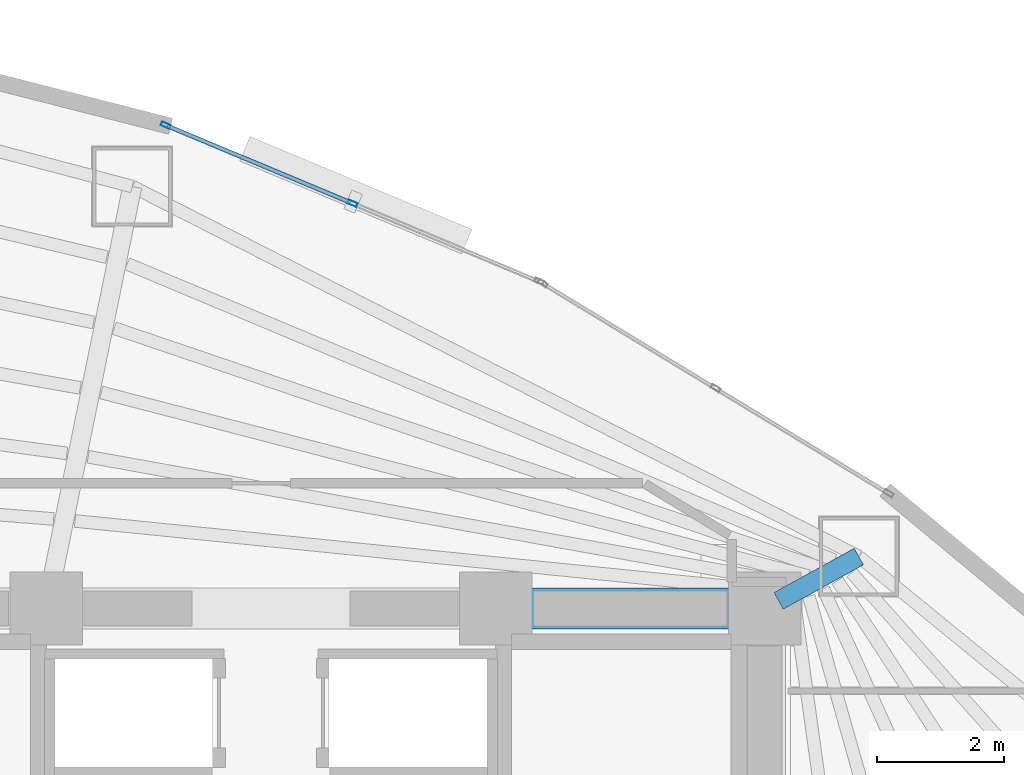
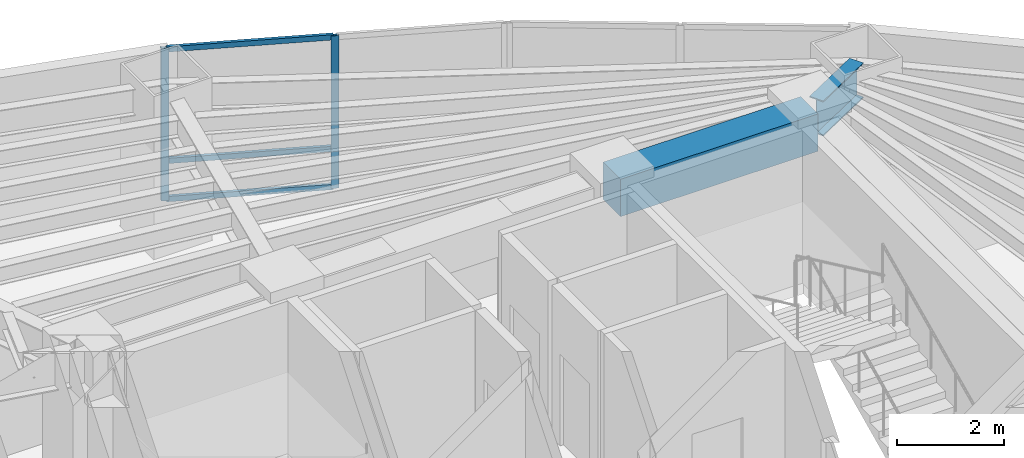
# One storey, part 9 of 18: 5 members, 2 beams, 1 element without a shape of its own.
"""IFC4 building model written with IfcOpenShell, lengths in metres."""

from ifc_helpers import new_model, si_unit, direction, frame, origin, origin_2d, place, context, subcontext, project, spatial, rectangle, hollow_rectangle, i_section, extrude, material, layer, layer_set, material_profile, profile_set, type_object, element, aggregate, save


model = new_model("IFC4")

# Units and contexts
model_context = context("Model", 3, precision=1e-05, world=origin(), true_north=direction((0.0, 1.0)))
body_context = subcontext(model_context, "Body", "Model", "MODEL_VIEW")
ifc_project = project(units=[si_unit("LENGTHUNIT", "METRE"), si_unit("AREAUNIT", "SQUARE_METRE"), si_unit("VOLUMEUNIT", "CUBIC_METRE"), si_unit("PLANEANGLEUNIT", "RADIAN"), si_unit("MASSUNIT", "GRAM", prefix="KILO")], contexts=[model_context])

# Site, building, storey
site_placement = place(None, origin())
site = spatial("IfcSite", under=ifc_project, at=site_placement, CompositionType="ELEMENT")
building_placement = place(site_placement, origin())
building = spatial("IfcBuilding", under=site, at=building_placement, Name="Menara Vayukalpa", CompositionType="ELEMENT")
storey_placement = place(building_placement, frame((0.0, 0.0, 92.820068359375)))
storey = spatial("IfcBuildingStorey", under=building, at=storey_placement, Name="L22", CompositionType="ELEMENT", Elevation=92.820068359375)

# Beams
ifc_material_1 = material(Name="Concrete C60/75", Category="concrete")
ifc_material_profile_1 = material_profile(ifc_material_1, rectangle(XDim=0.64990234375, YDim=0.85009765625, at=origin_2d()), Name="RC 650x850")
ifc_profile_set_1 = profile_set([ifc_material_profile_1], Name="Concrete C60/75")
beam_type_1 = type_object("IfcBeamType", Name="BM-CB1", PredefinedType="BEAM", material=ifc_profile_set_1)
beam_1_placement = place(storey_placement, frame((29.14990234375, 26.800048828125, 3.044921875), z_axis=(1.0, 0.0, 0.0), x_axis=(0.0, 1.0, 0.0)))
element("IfcBeam", 1, at=beam_1_placement, inside=storey, type_object=beam_type_1, Name="L22 Core Tie Beam CBR6", PredefinedType="BEAM", context=body_context, shape_type="SweptSolid", body=[
    extrude(rectangle(XDim=0.64990234375, YDim=0.85009765625, at=origin_2d()), origin(), (0.0, 0.0, 1.0), 4.25),
])
ifc_material_2 = material(Name="Steel S355", Category="steel")
ifc_material_profile_2 = material_profile(ifc_material_2, i_section(OverallWidth=0.300048828125, OverallDepth=0.800048828125, WebThickness=0.013916015625, FlangeThickness=0.02587890625, at=origin_2d()), Name="WF 800x300x14x26")
ifc_profile_set_2 = profile_set([ifc_material_profile_2], Name="Steel S355")
beam_type_2 = type_object("IfcBeamType", Name="BM-PG3", PredefinedType="BEAM", material=ifc_profile_set_2)
beam_2_placement = place(storey_placement, frame((33.618896484375, 26.9208984375, 3.06982421875), z_axis=(0.875228391676, 0.48370989488, 0.0), x_axis=(-0.48370989488, 0.875228391676, 0.0)))
element("IfcBeam", 2, at=beam_2_placement, inside=storey, type_object=beam_type_2, Name="L22 Primary Radial Girder RG02", PredefinedType="BEAM", context=body_context, shape_type="SweptSolid", body=[
    extrude(i_section(OverallWidth=0.300048828125, OverallDepth=0.800048828125, WebThickness=0.013916015625, FlangeThickness=0.02587890625, at=origin_2d()), origin(), (0.0, 0.0, 1.0), 1.448486328125),
])

# Curtain wall, members
ifc_material_3 = material(Name="Anodised Terracotta Aluminium Alloy 6063-T6", Category="masonry")
ifc_layer = layer(ifc_material_3, 0.14990234375)
ifc_layer_set = layer_set([ifc_layer], Name="Anodised Terracotta Aluminium Alloy 6063-T6")
curtain_wall_type = type_object("IfcCurtainWallType", Name="CW-CW3", PredefinedType="USERDEFINED", material=ifc_layer_set)
curtain_wall_placement = place(storey_placement, origin())
curtain_wall = element("IfcCurtainWall", 3, at=curtain_wall_placement, inside=storey, type_object=curtain_wall_type, Name="L22 Mid Rise Terracotta Ribbon Curtain Wall CW3 05", ObjectType="UNITISED", PredefinedType="USERDEFINED")
ifc_material_4 = material(Name="Anodised Terracotta Aluminium Alloy 6063-T6", Category="masonry")
ifc_material_profile_3 = material_profile(ifc_material_4, hollow_rectangle(XDim=0.06494140625, YDim=0.14990234375, WallThickness=0.00341796875, at=origin_2d()), Name="ALU 65x150x3.5")
ifc_profile_set_3 = profile_set([ifc_material_profile_3], Name="Anodised Terracotta Aluminium Alloy 6063-T6")
member_type_1 = type_object("IfcMemberType", Name="CWM-CW3", PredefinedType="MULLION", material=ifc_profile_set_3)
member_1_placement = place(storey_placement, frame((26.88671875, 33.201416015625, 0.0), z_axis=(0.0, 0.0, 1.0), x_axis=(-0.38589358437, -0.922543300632, 0.0)))
member_1 = element("IfcMember", 4, at=member_1_placement, type_object=member_type_1, Name="CW3 mullion 2", PredefinedType="MULLION", context=body_context, shape_type="SweptSolid", body=[
    extrude(hollow_rectangle(XDim=0.06494140625, YDim=0.14990234375, WallThickness=0.00341796875, at=origin_2d()), origin(), (0.0, 0.0, 1.0), 3.469970703125),
])
member_2_placement = place(storey_placement, frame((23.9375, 34.43505859375, 0.0), z_axis=(0.0, 0.0, 1.0), x_axis=(-0.38589358437, -0.922543300632, 0.0)))
member_2 = element("IfcMember", 5, at=member_2_placement, type_object=member_type_1, Name="CW3 mullion 3", PredefinedType="MULLION", context=body_context, shape_type="SweptSolid", body=[
    extrude(hollow_rectangle(XDim=0.06494140625, YDim=0.14990234375, WallThickness=0.00341796875, at=origin_2d()), origin(), (0.0, 0.0, 1.0), 3.469970703125),
])
ifc_material_5 = material(Name="Anodised Terracotta Aluminium Alloy 6063-T6", Category="masonry")
ifc_material_profile_4 = material_profile(ifc_material_5, hollow_rectangle(XDim=0.06494140625, YDim=0.1201171875, WallThickness=0.00341796875, at=origin_2d()), Name="ALU 65x120x3.5")
ifc_profile_set_4 = profile_set([ifc_material_profile_4], Name="Anodised Terracotta Aluminium Alloy 6063-T6")
member_type_2 = type_object("IfcMemberType", Name="CWT-CW3", PredefinedType="USERDEFINED", material=ifc_profile_set_4)
member_3_placement = place(storey_placement, frame((26.856689453125, 33.2138671875, 0.032470703125), z_axis=(-0.922529423765, 0.385926757673, 0.0), x_axis=(-0.385926757673, -0.922529423765, 0.0)))
member_3 = element("IfcMember", 6, at=member_3_placement, type_object=member_type_2, Name="CW3 transom 2.1", ObjectType="TRANSOM", PredefinedType="USERDEFINED", context=body_context, shape_type="SweptSolid", body=[
    extrude(hollow_rectangle(XDim=0.06494140625, YDim=0.1201171875, WallThickness=0.00341796875, at=origin_2d()), origin(), (0.0, 0.0, 1.0), 3.132080078125),
])
member_4_placement = place(storey_placement, frame((26.856689453125, 33.2138671875, 0.89990234375), z_axis=(-0.922529423765, 0.385926757673, 0.0), x_axis=(-0.385926757673, -0.922529423765, 0.0)))
member_4 = element("IfcMember", 7, at=member_4_placement, type_object=member_type_2, Name="CW3 transom 2.2", ObjectType="TRANSOM", PredefinedType="USERDEFINED", context=body_context, shape_type="SweptSolid", body=[
    extrude(hollow_rectangle(XDim=0.06494140625, YDim=0.1201171875, WallThickness=0.00341796875, at=origin_2d()), origin(), (0.0, 0.0, 1.0), 3.132080078125),
])
member_5_placement = place(storey_placement, frame((26.856689453125, 33.2138671875, 3.4375), z_axis=(-0.922529423765, 0.385926757673, 0.0), x_axis=(-0.385926757673, -0.922529423765, 0.0)))
member_5 = element("IfcMember", 8, at=member_5_placement, type_object=member_type_2, Name="CW3 transom 2.3", ObjectType="TRANSOM", PredefinedType="USERDEFINED", context=body_context, shape_type="SweptSolid", body=[
    extrude(hollow_rectangle(XDim=0.06494140625, YDim=0.1201171875, WallThickness=0.00341796875, at=origin_2d()), origin(), (0.0, 0.0, 1.0), 3.132080078125),
])
aggregate(curtain_wall, [member_1, member_2, member_3, member_4, member_5])

save(model, "model.ifc")
